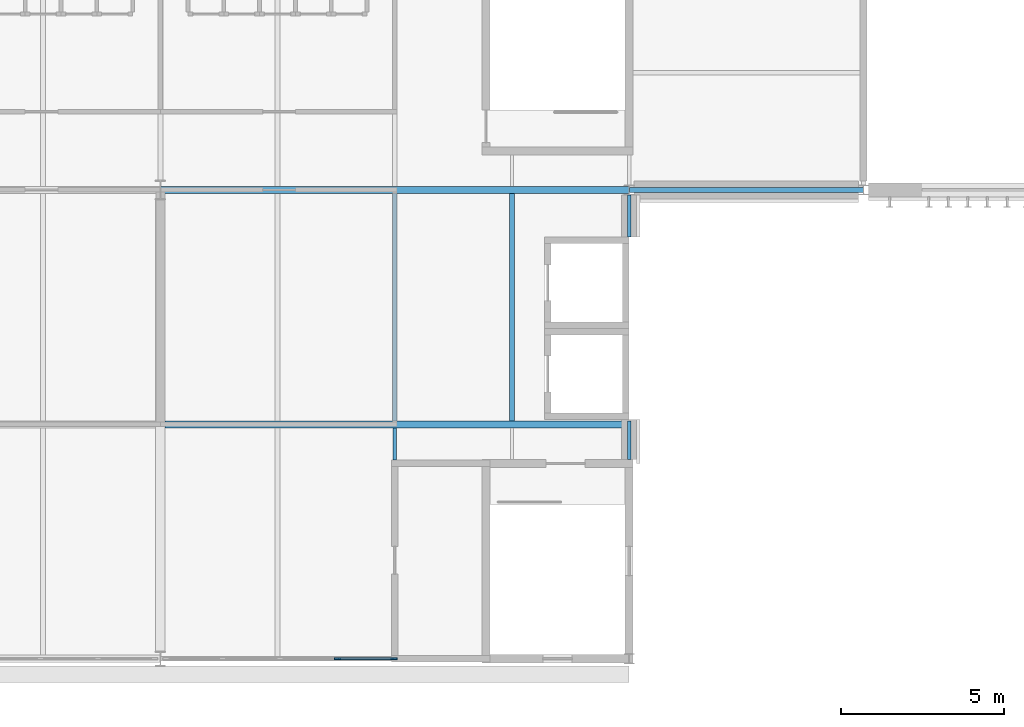
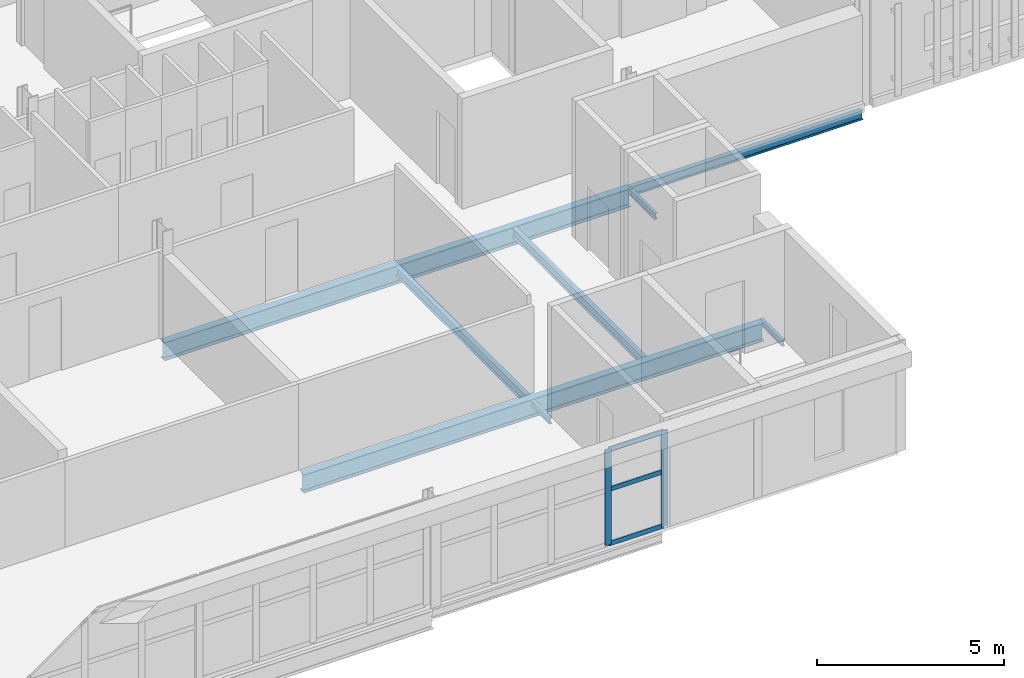
# One storey, part 29 of 142: 8 beams, 5 members, 1 element without a shape of its own.
"""IFC4 building model written with IfcOpenShell, lengths in metres."""

from ifc_helpers import new_model, si_unit, direction, frame, origin, origin_2d, place, context, subcontext, project, spatial, rectangle, i_section, extrude, material, material_profile, profile_set, type_object, element, aggregate, save


model = new_model("IFC4")

# Units and contexts
model_context = context("Model", 3, precision=1e-05, world=origin(), true_north=direction((0.0, 1.0)))
body_context = subcontext(model_context, "Body", "Model", "MODEL_VIEW")
ifc_project = project(units=[si_unit("LENGTHUNIT", "METRE"), si_unit("AREAUNIT", "SQUARE_METRE"), si_unit("VOLUMEUNIT", "CUBIC_METRE"), si_unit("PLANEANGLEUNIT", "RADIAN"), si_unit("MASSUNIT", "GRAM", prefix="KILO")], contexts=[model_context])

# Site, building, storey
site_placement = place(None, origin())
site = spatial("IfcSite", under=ifc_project, at=site_placement, CompositionType="ELEMENT")
building_placement = place(site_placement, origin())
building = spatial("IfcBuilding", under=site, at=building_placement, Name="Kupolbacken Congress Centre", CompositionType="ELEMENT")
storey_placement = place(building_placement, frame((0.0, 0.0, 14.39990234375)))
storey = spatial("IfcBuildingStorey", under=building, at=storey_placement, Name="L04", CompositionType="ELEMENT", Elevation=14.39990234375)

# Beams
ifc_material_1 = material(Name="Steel S355", Category="steel")
ifc_material_profile_1 = material_profile(ifc_material_1, i_section(OverallWidth=0.10009765625, OverallDepth=0.199951171875, WebThickness=0.005615234375, FlangeThickness=0.008544921875, FilletRadius=0.011962890625, at=origin_2d()), Name="IPE 200")
ifc_profile_set_1 = profile_set([ifc_material_profile_1], Name="Steel S355")
beam_type_1 = type_object("IfcBeamType", Name="B01 beam IPE 200", PredefinedType="BEAM", material=ifc_profile_set_1)
beam_1_placement = place(storey_placement, frame((79.199951171875, 34.925048828125, -0.27978515625), z_axis=(0.0, 1.0, 0.0), x_axis=(-1.0, 0.0, 0.0)))
element("IfcBeam", 1, at=beam_1_placement, inside=storey, type_object=beam_type_1, Name="S/floor/F/L04/G012", PredefinedType="BEAM", context=body_context, shape_type="SweptSolid", body=[
    extrude(i_section(OverallWidth=0.10009765625, OverallDepth=0.199951171875, WebThickness=0.005615234375, FlangeThickness=0.008544921875, FilletRadius=0.011962890625, at=origin_2d()), origin(), (0.0, 0.0, 1.0), 1.184814453125),
])
beam_2_placement = place(storey_placement, frame((79.199951171875, 41.75, -0.27978515625), z_axis=(0.0, 1.0, 0.0), x_axis=(-1.0, 0.0, 0.0)))
element("IfcBeam", 2, at=beam_2_placement, inside=storey, type_object=beam_type_1, Name="S/floor/F/L04/G013", PredefinedType="BEAM", context=body_context, shape_type="SweptSolid", body=[
    extrude(i_section(OverallWidth=0.10009765625, OverallDepth=0.199951171875, WebThickness=0.005615234375, FlangeThickness=0.008544921875, FilletRadius=0.011962890625, at=origin_2d()), origin(), (0.0, 0.0, 1.0), 1.300048828125),
])
beam_3_placement = place(storey_placement, frame((72.0, 34.89990234375, -0.27978515625), z_axis=(0.0, 1.0, 0.0), x_axis=(-1.0, 0.0, 0.0)))
element("IfcBeam", 3, at=beam_3_placement, inside=storey, type_object=beam_type_1, Name="S/floor/F/L04/S078", PredefinedType="BEAM", context=body_context, shape_type="SweptSolid", body=[
    extrude(i_section(OverallWidth=0.10009765625, OverallDepth=0.199951171875, WebThickness=0.005615234375, FlangeThickness=0.008544921875, FilletRadius=0.011962890625, at=origin_2d()), origin(), (0.0, 0.0, 1.0), 0.989990234375),
])
ifc_material_2 = material(Name="Steel S355", Category="steel")
ifc_material_profile_2 = material_profile(ifc_material_2, i_section(OverallWidth=0.14990234375, OverallDepth=0.300048828125, WebThickness=0.007080078125, FlangeThickness=0.0107421875, FilletRadius=0.014892578125, at=origin_2d()), Name="IPE 300")
ifc_profile_set_2 = profile_set([ifc_material_profile_2], Name="Steel S355")
beam_type_2 = type_object("IfcBeamType", Name="B04 beam IPE 300", PredefinedType="BEAM", material=ifc_profile_set_2)
for number, where, z_axis, x_axis, name in (
    (4, (72.0, 36.110107421875, -0.329833984375), (0.0, 1.0, 0.0), (-1.0, 0.0, 0.0), "S/floor/F/L04/S079"),
    (5, (75.60009765625, 36.110107421875, -0.329833984375), (0.0, 1.0, 0.0), (-1.0, 0.0, 0.0), "S/floor/F/L04/S082"),
):
    element("IfcBeam", number, at=place(storey_placement, frame(where, z_axis=z_axis, x_axis=x_axis)), inside=storey, type_object=beam_type_2, Name=name, PredefinedType="BEAM", context=body_context, shape_type="SweptSolid", body=[
        extrude(i_section(OverallWidth=0.14990234375, OverallDepth=0.300048828125, WebThickness=0.007080078125, FlangeThickness=0.0107421875, FilletRadius=0.014892578125, at=origin_2d()), origin(), (0.0, 0.0, 1.0), 6.97998046875),
    ])
beam_4_placement = place(storey_placement, frame((79.20556640625, 43.199951171875, -0.329833984375), z_axis=(1.0, 0.0, 0.0), x_axis=(0.0, 1.0, 0.0)))
element("IfcBeam", 6, at=beam_4_placement, inside=storey, type_object=beam_type_2, Name="S/floor/LINK/L04/R010", PredefinedType="BEAM", context=body_context, shape_type="SweptSolid", body=[
    extrude(i_section(OverallWidth=0.14990234375, OverallDepth=0.300048828125, WebThickness=0.007080078125, FlangeThickness=0.0107421875, FilletRadius=0.014892578125, at=origin_2d()), origin(), (0.0, 0.0, 1.0), 7.190185546875),
])
ifc_material_3 = material(Name="Steel S355", Category="steel")
ifc_material_profile_3 = material_profile(ifc_material_3, i_section(OverallWidth=0.219970703125, OverallDepth=0.60009765625, WebThickness=0.011962890625, FlangeThickness=0.01904296875, FilletRadius=0.02392578125, at=origin_2d()), Name="IPE 600")
ifc_profile_set_3 = profile_set([ifc_material_profile_3], Name="Steel S355")
beam_type_3 = type_object("IfcBeamType", Name="B11 beam IPE 600", PredefinedType="BEAM", material=ifc_profile_set_3)
beam_5_placement = place(storey_placement, frame((64.807861328125, 43.199951171875, -0.47998046875), z_axis=(1.0, 0.0, 0.0), x_axis=(0.0, 1.0, 0.0)))
element("IfcBeam", 7, at=beam_5_placement, inside=storey, type_object=beam_type_3, Name="S/floor/F/L04/R024", PredefinedType="BEAM", context=body_context, shape_type="SweptSolid", body=[
    extrude(i_section(OverallWidth=0.219970703125, OverallDepth=0.60009765625, WebThickness=0.011962890625, FlangeThickness=0.01904296875, FilletRadius=0.02392578125, at=origin_2d()), origin(), (0.0, 0.0, 1.0), 14.38671875),
])
beam_6_placement = place(storey_placement, frame((64.949951171875, 36.0, -0.47998046875), z_axis=(1.0, 0.0, 0.0), x_axis=(0.0, 1.0, 0.0)))
element("IfcBeam", 8, at=beam_6_placement, inside=storey, type_object=beam_type_3, Name="S/floor/F/L04/R039", PredefinedType="BEAM", context=body_context, shape_type="SweptSolid", body=[
    extrude(i_section(OverallWidth=0.219970703125, OverallDepth=0.60009765625, WebThickness=0.011962890625, FlangeThickness=0.01904296875, FilletRadius=0.02392578125, at=origin_2d()), origin(), (0.0, 0.0, 1.0), 14.199951171875),
])

# Curtain wall, members
ifc_material_4 = material(Name="Aluminium mullion-transom frame with glass", Category="aluminium")
curtain_wall_type = type_object("IfcCurtainWallType", Name="CW1 curtain wall 7200x3600", PredefinedType="NOTDEFINED", material=ifc_material_4)
curtain_wall_placement = place(storey_placement, origin())
curtain_wall = element("IfcCurtainWall", 9, at=curtain_wall_placement, inside=storey, type_object=curtain_wall_type, Name="E/F/S/L04/420", PredefinedType="NOTDEFINED")
ifc_material_5 = material(Name="Aluminium alloy", Category="aluminium")
ifc_material_profile_4 = material_profile(ifc_material_5, rectangle(XDim=0.050048828125, YDim=0.199951171875, at=origin_2d()), Name="50 x 200")
ifc_profile_set_4 = profile_set([ifc_material_profile_4], Name="Aluminium alloy")
member_type_1 = type_object("IfcMemberType", Name="MU2 mullion 50x200", PredefinedType="MULLION", material=ifc_profile_set_4)
member_1_placement = place(storey_placement, frame((70.237548828125, 28.800048828125, 0.0), z_axis=(0.0, 0.0, 1.0), x_axis=(0.0, 1.0, 0.0)))
member_1 = element("IfcMember", 10, at=member_1_placement, type_object=member_type_1, Name="CW1 mullion 4", PredefinedType="MULLION", context=body_context, shape_type="SweptSolid", body=[
    extrude(rectangle(XDim=0.050048828125, YDim=0.199951171875, at=origin_2d()), origin(), (0.0, 0.0, 1.0), 3.1201171875),
])
member_2_placement = place(storey_placement, frame((71.97509765625, 28.800048828125, 0.0), z_axis=(0.0, 0.0, 1.0), x_axis=(0.0, 1.0, 0.0)))
member_2 = element("IfcMember", 11, at=member_2_placement, type_object=member_type_1, Name="CW1 mullion 5", PredefinedType="MULLION", context=body_context, shape_type="SweptSolid", body=[
    extrude(rectangle(XDim=0.050048828125, YDim=0.199951171875, at=origin_2d()), origin(), (0.0, 0.0, 1.0), 3.1201171875),
])
ifc_material_6 = material(Name="Aluminium alloy", Category="aluminium")
ifc_material_profile_5 = material_profile(ifc_material_6, rectangle(XDim=0.050048828125, YDim=0.14990234375, at=origin_2d()), Name="50 x 150")
ifc_profile_set_5 = profile_set([ifc_material_profile_5], Name="Aluminium alloy")
member_type_2 = type_object("IfcMemberType", Name="TR2 transom 50x150", PredefinedType="MULLION", material=ifc_profile_set_5)
member_3_placement = place(storey_placement, frame((70.262451171875, 28.800048828125, 0.025146484375), z_axis=(1.0, 0.0, 0.0), x_axis=(0.0, 1.0, 0.0)))
member_3 = element("IfcMember", 12, at=member_3_placement, type_object=member_type_2, Name="CW1 transom 4.1", PredefinedType="MULLION", context=body_context, shape_type="SweptSolid", body=[
    extrude(rectangle(XDim=0.050048828125, YDim=0.14990234375, at=origin_2d()), origin(), (0.0, 0.0, 1.0), 1.6875),
])
member_4_placement = place(storey_placement, frame((70.262451171875, 28.800048828125, 1.800048828125), z_axis=(1.0, 0.0, 0.0), x_axis=(0.0, 1.0, 0.0)))
member_4 = element("IfcMember", 13, at=member_4_placement, type_object=member_type_2, Name="CW1 transom 4.2", PredefinedType="MULLION", context=body_context, shape_type="SweptSolid", body=[
    extrude(rectangle(XDim=0.050048828125, YDim=0.14990234375, at=origin_2d()), origin(), (0.0, 0.0, 1.0), 1.6875),
])
member_5_placement = place(storey_placement, frame((70.262451171875, 28.800048828125, 3.09521484375), z_axis=(1.0, 0.0, 0.0), x_axis=(0.0, 1.0, 0.0)))
member_5 = element("IfcMember", 14, at=member_5_placement, type_object=member_type_2, Name="CW1 transom 4.3", PredefinedType="MULLION", context=body_context, shape_type="SweptSolid", body=[
    extrude(rectangle(XDim=0.050048828125, YDim=0.14990234375, at=origin_2d()), origin(), (0.0, 0.0, 1.0), 1.6875),
])
aggregate(curtain_wall, [member_1, member_2, member_3, member_4, member_5])

save(model, "model.ifc")
